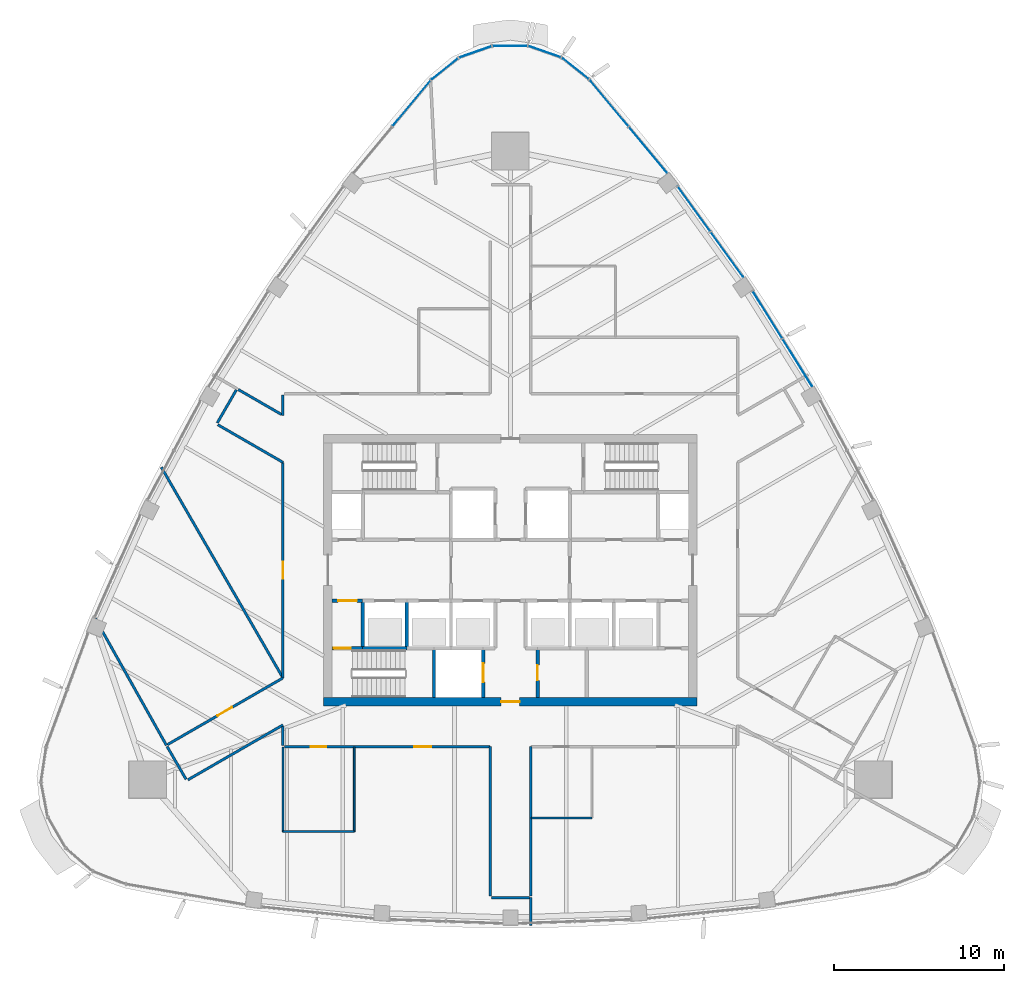
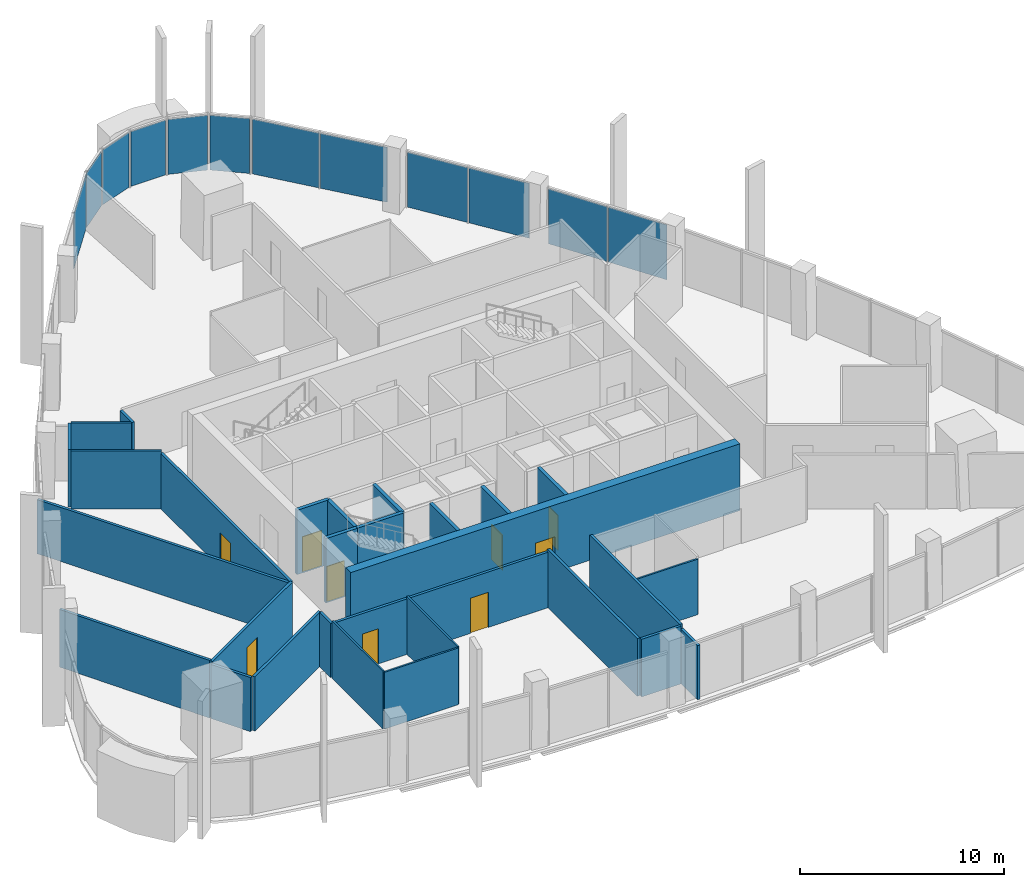
# One storey, part 8 of 18: 29 walls, 12 plates, 9 doors, 9 openings, 9 elements without a shape of their own.
"""IFC4 building model written with IfcOpenShell, lengths in metres."""

from ifc_helpers import new_model, si_unit, direction, frame, frame_2d, origin, origin_2d, place, context, subcontext, project, spatial, rectangle, extrude, material, layer, layer_set, type_object, element, fill, aggregate, save


model = new_model("IFC4")

# Units and contexts
model_context = context("Model", 3, precision=1e-05, world=origin(), true_north=direction((0.0, 1.0)))
body_context = subcontext(model_context, "Body", "Model", "MODEL_VIEW")
ifc_project = project(units=[si_unit("LENGTHUNIT", "METRE"), si_unit("AREAUNIT", "SQUARE_METRE"), si_unit("VOLUMEUNIT", "CUBIC_METRE"), si_unit("PLANEANGLEUNIT", "RADIAN"), si_unit("MASSUNIT", "GRAM", prefix="KILO")], contexts=[model_context])

# Site, building, storey
site_placement = place(None, origin())
site = spatial("IfcSite", under=ifc_project, at=site_placement, CompositionType="ELEMENT")
building_placement = place(site_placement, origin())
building = spatial("IfcBuilding", under=site, at=building_placement, Name="Sierra Prisma Convention Tower", CompositionType="ELEMENT")
storey_placement = place(building_placement, frame((0.0, 0.0, 263.0)))
storey = spatial("IfcBuildingStorey", under=building, at=storey_placement, Name="L59", CompositionType="ELEMENT", Elevation=263.0)

# Curtain wall, plates
ifc_material_1 = material(Name="Aluminium and glass curtain wall", Category="aluminium")
ifc_layer_1 = layer(ifc_material_1, 0.179931640625)
ifc_layer_set_1 = layer_set([ifc_layer_1], Name="CW-1 Plain shaft curtain wall")
curtain_wall_type = type_object("IfcCurtainWallType", Name="CW-1 Plain shaft curtain wall", PredefinedType="NOTDEFINED", material=ifc_layer_set_1)
curtain_wall_1_placement = place(storey_placement, origin())
curtain_wall_1 = element("IfcCurtainWall", 1, at=curtain_wall_1_placement, inside=storey, type_object=curtain_wall_type, Name="CW-1 NE4 L59", PredefinedType="NOTDEFINED")
ifc_material_2 = material(Name="Tinted glass bronze-grey IGU", Category="glass")
ifc_layer_2 = layer(ifc_material_2, 0.028076171875)
ifc_layer_set_2 = layer_set([ifc_layer_2], Name="CW-1 glass panel")
plate_type = type_object("IfcPlateType", Name="CW-1 glass panel", PredefinedType="CURTAIN_PANEL", material=ifc_layer_set_2)
plate_1_placement = place(storey_placement, frame((16.902587890625, 12.231201171875, 0.0), z_axis=(0.0, 0.0, 1.0), x_axis=(-0.529370388136, 0.84839082513, 0.0)))
plate_1 = element("IfcPlate", 2, at=plate_1_placement, type_object=plate_type, Name="CW-1 panel NE4.1", PredefinedType="CURTAIN_PANEL", context=body_context, shape_type="SweptSolid", body=[
    extrude(rectangle(XDim=3.244873046875, YDim=0.028076171875, at=origin_2d()), origin(), (0.0, 0.0, 1.0), 3.280029296875),
])
plate_2_placement = place(storey_placement, frame((15.14794921875, 15.04345703125, 0.0), z_axis=(0.0, 0.0, 1.0), x_axis=(-0.529370388136, 0.84839082513, 0.0)))
plate_2 = element("IfcPlate", 3, at=plate_2_placement, type_object=plate_type, Name="CW-1 panel NE4.2", PredefinedType="CURTAIN_PANEL", context=body_context, shape_type="SweptSolid", body=[
    extrude(rectangle(XDim=3.244873046875, YDim=0.028076171875, at=origin_2d()), origin(), (0.0, 0.0, 1.0), 3.280029296875),
])
aggregate(curtain_wall_1, [plate_1, plate_2])

curtain_wall_2_placement = place(storey_placement, origin())
curtain_wall_2 = element("IfcCurtainWall", 4, at=curtain_wall_2_placement, inside=storey, type_object=curtain_wall_type, Name="CW-1 NE5 L59", PredefinedType="NOTDEFINED")
plate_3_placement = place(storey_placement, frame((12.755859375, 18.600830078125, 0.0), z_axis=(0.0, 0.0, 1.0), x_axis=(-0.586213620323, 0.810156522746, 0.0)))
plate_3 = element("IfcPlate", 5, at=plate_3_placement, type_object=plate_type, Name="CW-1 panel NE5.1", PredefinedType="CURTAIN_PANEL", context=body_context, shape_type="SweptSolid", body=[
    extrude(rectangle(XDim=3.229736328125, YDim=0.028076171875, at=origin_2d()), origin(), (0.0, 0.0, 1.0), 3.280029296875),
])
plate_4_placement = place(storey_placement, frame((10.821533203125, 21.274169921875, 0.0), z_axis=(0.0, 0.0, 1.0), x_axis=(-0.586213620323, 0.810156522746, 0.0)))
plate_4 = element("IfcPlate", 6, at=plate_4_placement, type_object=plate_type, Name="CW-1 panel NE5.2", PredefinedType="CURTAIN_PANEL", context=body_context, shape_type="SweptSolid", body=[
    extrude(rectangle(XDim=3.229736328125, YDim=0.028076171875, at=origin_2d()), origin(), (0.0, 0.0, 1.0), 3.280029296875),
])
aggregate(curtain_wall_2, [plate_3, plate_4])

curtain_wall_3_placement = place(storey_placement, origin())
curtain_wall_3 = element("IfcCurtainWall", 7, at=curtain_wall_3_placement, inside=storey, type_object=curtain_wall_type, Name="CW-1 NE6 L59", PredefinedType="NOTDEFINED")
plate_5_placement = place(storey_placement, frame((8.099609375, 24.772216796875, 0.0), z_axis=(0.0, 0.0, 1.0), x_axis=(-0.640305743241, 0.76812014371, 0.0)))
plate_5 = element("IfcPlate", 8, at=plate_5_placement, type_object=plate_type, Name="CW-1 panel NE6.1", PredefinedType="CURTAIN_PANEL", context=body_context, shape_type="SweptSolid", body=[
    extrude(rectangle(XDim=3.475830078125, YDim=0.028076171875, at=origin_2d()), origin(), (0.0, 0.0, 1.0), 3.280029296875),
])
plate_6_placement = place(storey_placement, frame((5.8291015625, 27.495849609375, 0.0), z_axis=(0.0, 0.0, 1.0), x_axis=(-0.640305743241, 0.76812014371, 0.0)))
plate_6 = element("IfcPlate", 9, at=plate_6_placement, type_object=plate_type, Name="CW-1 panel NE6.2", PredefinedType="CURTAIN_PANEL", context=body_context, shape_type="SweptSolid", body=[
    extrude(rectangle(XDim=3.475830078125, YDim=0.028076171875, at=origin_2d()), origin(), (0.0, 0.0, 1.0), 3.280029296875),
])
aggregate(curtain_wall_3, [plate_5, plate_6])

# Curtain wall, plate
curtain_wall_4_placement = place(storey_placement, origin())
curtain_wall_4 = element("IfcCurtainWall", 10, at=curtain_wall_4_placement, inside=storey, type_object=curtain_wall_type, Name="CW-1 N1 L59", PredefinedType="NOTDEFINED")
plate_7_placement = place(storey_placement, frame((3.85107421875, 29.5390625, 0.0), z_axis=(0.0, 0.0, 1.0), x_axis=(-0.781760369091, 0.623578964782, 0.0)))
plate_7 = element("IfcPlate", 11, at=plate_7_placement, type_object=plate_type, Name="CW-1 panel N1.1", PredefinedType="CURTAIN_PANEL", context=body_context, shape_type="SweptSolid", body=[
    extrude(rectangle(XDim=1.958984375, YDim=0.028076171875, at=origin_2d()), origin(), (0.0, 0.0, 1.0), 3.280029296875),
])
aggregate(curtain_wall_4, [plate_7])

curtain_wall_5_placement = place(storey_placement, origin())
curtain_wall_5 = element("IfcCurtainWall", 12, at=curtain_wall_5_placement, inside=storey, type_object=curtain_wall_type, Name="CW-1 N2 L59", PredefinedType="NOTDEFINED")
plate_8_placement = place(storey_placement, frame((2.0400390625, 30.540283203125, 0.0), z_axis=(0.0, 0.0, 1.0), x_axis=(-0.943864494798, 0.330332885829, 0.0)))
plate_8 = element("IfcPlate", 13, at=plate_8_placement, type_object=plate_type, Name="CW-1 panel N2.1", PredefinedType="CURTAIN_PANEL", context=body_context, shape_type="SweptSolid", body=[
    extrude(rectangle(XDim=1.958984375, YDim=0.028076171875, at=origin_2d()), origin(), (0.0, 0.0, 1.0), 3.280029296875),
])
aggregate(curtain_wall_5, [plate_8])

curtain_wall_6_placement = place(storey_placement, origin())
curtain_wall_6 = element("IfcCurtainWall", 14, at=curtain_wall_6_placement, inside=storey, type_object=curtain_wall_type, Name="CW-1 N3 L59", PredefinedType="NOTDEFINED")
plate_9_placement = place(storey_placement, frame((0.0, 30.886962890625, 0.0), z_axis=(0.0, 0.0, 1.0), x_axis=(-1.0, 0.0, 0.0)))
plate_9 = element("IfcPlate", 15, at=plate_9_placement, type_object=plate_type, Name="CW-1 panel N3.1", PredefinedType="CURTAIN_PANEL", context=body_context, shape_type="SweptSolid", body=[
    extrude(rectangle(XDim=1.958984375, YDim=0.028076171875, at=origin_2d()), origin(), (0.0, 0.0, 1.0), 3.280029296875),
])
aggregate(curtain_wall_6, [plate_9])

curtain_wall_7_placement = place(storey_placement, origin())
curtain_wall_7 = element("IfcCurtainWall", 16, at=curtain_wall_7_placement, inside=storey, type_object=curtain_wall_type, Name="CW-1 N4 L59", PredefinedType="NOTDEFINED")
plate_10_placement = place(storey_placement, frame((-2.0400390625, 30.540283203125, 0.0), z_axis=(0.0, 0.0, 1.0), x_axis=(-0.943864494798, -0.330332885829, 0.0)))
plate_10 = element("IfcPlate", 17, at=plate_10_placement, type_object=plate_type, Name="CW-1 panel N4.1", PredefinedType="CURTAIN_PANEL", context=body_context, shape_type="SweptSolid", body=[
    extrude(rectangle(XDim=1.958984375, YDim=0.028076171875, at=origin_2d()), origin(), (0.0, 0.0, 1.0), 3.280029296875),
])
aggregate(curtain_wall_7, [plate_10])

curtain_wall_8_placement = place(storey_placement, origin())
curtain_wall_8 = element("IfcCurtainWall", 18, at=curtain_wall_8_placement, inside=storey, type_object=curtain_wall_type, Name="CW-1 N5 L59", PredefinedType="NOTDEFINED")
plate_11_placement = place(storey_placement, frame((-3.85107421875, 29.5390625, 0.0), z_axis=(0.0, 0.0, 1.0), x_axis=(-0.781760369091, -0.623578964782, 0.0)))
plate_11 = element("IfcPlate", 19, at=plate_11_placement, type_object=plate_type, Name="CW-1 panel N5.1", PredefinedType="CURTAIN_PANEL", context=body_context, shape_type="SweptSolid", body=[
    extrude(rectangle(XDim=1.958984375, YDim=0.028076171875, at=origin_2d()), origin(), (0.0, 0.0, 1.0), 3.280029296875),
])
aggregate(curtain_wall_8, [plate_11])

curtain_wall_9_placement = place(storey_placement, origin())
curtain_wall_9 = element("IfcCurtainWall", 20, at=curtain_wall_9_placement, inside=storey, type_object=curtain_wall_type, Name="CW-1 NW1 L59", PredefinedType="NOTDEFINED")
plate_12_placement = place(storey_placement, frame((-5.8291015625, 27.495849609375, 0.0), z_axis=(0.0, 0.0, 1.0), x_axis=(-0.640305743241, -0.76812014371, 0.0)))
plate_12 = element("IfcPlate", 21, at=plate_12_placement, type_object=plate_type, Name="CW-1 panel NW1.1", PredefinedType="CURTAIN_PANEL", context=body_context, shape_type="SweptSolid", body=[
    extrude(rectangle(XDim=3.475830078125, YDim=0.028076171875, at=origin_2d()), origin(), (0.0, 0.0, 1.0), 3.280029296875),
])
aggregate(curtain_wall_9, [plate_12])

# Walls
ifc_material_3 = material(Name="Gypsum board partition", Category="gypsum")
ifc_layer_3 = layer(ifc_material_3, 0.10009765625)
ifc_layer_set_3 = layer_set([ifc_layer_3], Name="Bathroom partition 100")
wall_type_1 = type_object("IfcWallType", Name="Bathroom partition 100", PredefinedType="PARTITIONING", material=ifc_layer_set_3)
wall_1_placement = place(storey_placement, frame((-9.199951171875, -10.429931640625, 0.0), z_axis=(0.0, 0.0, 1.0), x_axis=(0.0, -1.0, 0.0)))
element("IfcWall", 22, at=wall_1_placement, inside=storey, type_object=wall_type_1, Name="Partition L59 bath 1", PredefinedType="PARTITIONING", context=body_context, shape_type="SweptSolid", body=[
    extrude(rectangle(XDim=4.969970703125, YDim=0.10009765625, at=frame_2d((2.48486328125, 0.0))), origin(), (0.0, 0.0, 1.0), 3.449951171875),
])
wall_2_placement = place(storey_placement, frame((-9.199951171875, -15.39990234375, 0.0), z_axis=(0.0, 0.0, 1.0), x_axis=(-1.0, 0.0, 0.0)))
element("IfcWall", 23, at=wall_2_placement, inside=storey, type_object=wall_type_1, Name="Partition L59 bath 2", PredefinedType="PARTITIONING", context=body_context, shape_type="SweptSolid", body=[
    extrude(rectangle(XDim=4.199951171875, YDim=0.10009765625, at=frame_2d((2.10009765625, 0.0))), origin(), (0.0, 0.0, 1.0), 3.39306640625),
])
wall_3_placement = place(storey_placement, frame((-13.39990234375, -15.39990234375, 0.0), z_axis=(0.0, 0.0, 1.0), x_axis=(0.0, 1.0, 0.0)))
element("IfcWall", 24, at=wall_3_placement, inside=storey, type_object=wall_type_1, Name="Partition L59 bath 3", PredefinedType="PARTITIONING", context=body_context, shape_type="SweptSolid", body=[
    extrude(rectangle(XDim=4.969970703125, YDim=0.10009765625, at=frame_2d((2.48486328125, 0.0))), origin(), (0.0, 0.0, 1.0), 3.449951171875),
])
wall_4_placement = place(storey_placement, frame((4.800048828125, -14.60009765625, 0.0), z_axis=(0.0, 0.0, 1.0), x_axis=(-1.0, 0.0, 0.0)))
element("IfcWall", 25, at=wall_4_placement, inside=storey, type_object=wall_type_1, Name="Partition L59 bath 7", PredefinedType="PARTITIONING", context=body_context, shape_type="SweptSolid", body=[
    extrude(rectangle(XDim=3.570068359375, YDim=0.10009765625, at=frame_2d((1.78515625, 0.0))), origin(), (0.0, 0.0, 1.0), 3.31689453125),
])

# Wall, opening, door
ifc_material_4 = material(Name="Concrete C30/37", Category="concrete")
ifc_layer_4 = layer(ifc_material_4, 0.199951171875)
ifc_layer_set_4 = layer_set([ifc_layer_4], Name="Core wall RC 200 C30/37")
wall_type_2 = type_object("IfcWallType", Name="Core wall RC 200 C30/37", PredefinedType="SOLIDWALL", material=ifc_layer_set_4)
wall_5_placement = place(storey_placement, frame((-10.5, -4.60009765625, 0.0), z_axis=(0.0, 0.0, 1.0), x_axis=(1.0, 0.0, 0.0)))
wall_5 = element("IfcWall", 26, at=wall_5_placement, inside=storey, type_object=wall_type_2, Name="Core wall L59 1", PredefinedType="SOLIDWALL", context=body_context, shape_type="SweptSolid", body=[
    extrude(rectangle(XDim=1.800048828125, YDim=0.199951171875, at=frame_2d((0.89990234375, 0.0))), origin(), (0.0, 0.0, 1.0), 3.85009765625),
])
opening_1_placement = place(wall_5_placement, frame((0.10009765625, 0.0, 0.0)))
opening_1 = element("IfcOpeningElement", 27, at=opening_1_placement, cuts=wall_5, Name="Opening L59-D017", PredefinedType="OPENING", context=body_context, shape_type="SweptSolid", body=[
    extrude(rectangle(XDim=1.0, YDim=2.10009765625, at=frame_2d((0.5, 1.050048828125))), frame((0.0, 0.10009765625, 0.0), z_axis=(0.0, -1.0, 0.0), x_axis=(1.0, 0.0, 0.0)), (0.0, 0.0, 1.0), 0.199951171875),
])
ifc_material_5 = material(Name="Steel fire door leaf", Category="steel")
door_type_1 = type_object("IfcDoorType", Name="Door 1000x2100 FD90S", OperationType="SINGLE_SWING_LEFT", PredefinedType="DOOR", material=ifc_material_5)
door_1_placement = place(opening_1_placement, origin())
door_1 = element("IfcDoor", 28, at=door_1_placement, inside=storey, type_object=door_type_1, Name="Door L59 31", OperationType="SINGLE_SWING_LEFT", OverallHeight=2.10009765625, OverallWidth=1.0, PredefinedType="DOOR", context=body_context, shape_type="SweptSolid", body=[
    extrude(rectangle(XDim=1.0, YDim=2.10009765625, at=frame_2d((0.5, 1.050048828125))), frame((0.0, 0.02490234375, 0.0), z_axis=(0.0, -1.0, 0.0), x_axis=(1.0, 0.0, 0.0)), (0.0, 0.0, 1.0), 0.050048828125),
])
fill(opening_1, door_1)

wall_6_placement = place(storey_placement, frame((-10.5, -1.800048828125, 0.0), z_axis=(0.0, 0.0, 1.0), x_axis=(1.0, 0.0, 0.0)))
wall_6 = element("IfcWall", 29, at=wall_6_placement, inside=storey, type_object=wall_type_2, Name="Core wall L59 2", PredefinedType="SOLIDWALL", context=body_context, shape_type="SweptSolid", body=[
    extrude(rectangle(XDim=1.800048828125, YDim=0.199951171875, at=frame_2d((0.89990234375, 0.0))), origin(), (0.0, 0.0, 1.0), 3.85009765625),
])
opening_2_placement = place(wall_6_placement, frame((0.35009765625, 0.0, 0.0)))
opening_2 = element("IfcOpeningElement", 30, at=opening_2_placement, cuts=wall_6, Name="Opening L59-D012", PredefinedType="OPENING", context=body_context, shape_type="SweptSolid", body=[
    extrude(rectangle(XDim=1.10009765625, YDim=2.10009765625, at=frame_2d((0.550048828125, 1.050048828125))), frame((0.0, 0.10009765625, 0.0), z_axis=(0.0, -1.0, 0.0), x_axis=(1.0, 0.0, 0.0)), (0.0, 0.0, 1.0), 0.199951171875),
])
ifc_material_6 = material(Name="Steel fire door leaf", Category="steel")
door_type_2 = type_object("IfcDoorType", Name="Door 1100x2100 FD90S", OperationType="SINGLE_SWING_LEFT", PredefinedType="DOOR", material=ifc_material_6)
door_2_placement = place(opening_2_placement, origin())
door_2 = element("IfcDoor", 31, at=door_2_placement, inside=storey, type_object=door_type_2, Name="Door L59 26", OperationType="SINGLE_SWING_LEFT", OverallHeight=2.10009765625, OverallWidth=1.10009765625, PredefinedType="DOOR", context=body_context, shape_type="SweptSolid", body=[
    extrude(rectangle(XDim=1.10009765625, YDim=2.10009765625, at=frame_2d((0.550048828125, 1.050048828125))), frame((0.0, 0.02490234375, 0.0), z_axis=(0.0, -1.0, 0.0), x_axis=(1.0, 0.0, 0.0)), (0.0, 0.0, 1.0), 0.050048828125),
])
fill(opening_2, door_2)

# Walls
wall_7_placement = place(storey_placement, frame((-8.699951171875, -4.60009765625, 0.0), z_axis=(0.0, 0.0, 1.0), x_axis=(1.0, 0.0, 0.0)))
element("IfcWall", 32, at=wall_7_placement, inside=storey, type_object=wall_type_2, Name="Core wall L59 5", PredefinedType="SOLIDWALL", context=body_context, shape_type="SweptSolid", body=[
    extrude(rectangle(XDim=2.599853515625, YDim=0.199951171875, at=frame_2d((1.2998046875, 0.0))), origin(), (0.0, 0.0, 1.0), 3.85009765625),
])
for number, where, z_axis, x_axis, name in (
    (33, (-8.699951171875, -4.60009765625, 0.0), (0.0, 0.0, 1.0), (0.0, 1.0, 0.0), "Core wall L59 6"),
    (34, (-6.10009765625, -4.60009765625, 0.0), (0.0, 0.0, 1.0), (0.0, 1.0, 0.0), "Core wall L59 12"),
):
    element("IfcWall", number, at=place(storey_placement, frame(where, z_axis=z_axis, x_axis=x_axis)), inside=storey, type_object=wall_type_2, Name=name, PredefinedType="SOLIDWALL", context=body_context, shape_type="SweptSolid", body=[
        extrude(rectangle(XDim=2.800048828125, YDim=0.199951171875, at=frame_2d((1.39990234375, 0.0))), origin(), (0.0, 0.0, 1.0), 3.85009765625),
    ])
wall_8_placement = place(storey_placement, frame((-4.5, -4.60009765625, 0.0), z_axis=(0.0, 0.0, 1.0), x_axis=(0.0, -1.0, 0.0)))
element("IfcWall", 35, at=wall_8_placement, inside=storey, type_object=wall_type_2, Name="Core wall L59 14", PredefinedType="SOLIDWALL", context=body_context, shape_type="SweptSolid", body=[
    extrude(rectangle(XDim=2.89990234375, YDim=0.199951171875, at=frame_2d((1.449951171875, 0.0))), origin(), (0.0, 0.0, 1.0), 3.85009765625),
])

# Wall, opening, door
wall_9_placement = place(storey_placement, frame((-1.60009765625, -7.5, 0.0), z_axis=(0.0, 0.0, 1.0), x_axis=(0.0, 1.0, 0.0)))
wall_9 = element("IfcWall", 36, at=wall_9_placement, inside=storey, type_object=wall_type_2, Name="Core wall L59 27", PredefinedType="SOLIDWALL", context=body_context, shape_type="SweptSolid", body=[
    extrude(rectangle(XDim=2.89990234375, YDim=0.199951171875, at=frame_2d((1.449951171875, 0.0))), origin(), (0.0, 0.0, 1.0), 3.85009765625),
])
opening_3_placement = place(wall_9_placement, frame((0.89990234375, 0.0, 0.0)))
opening_3 = element("IfcOpeningElement", 37, at=opening_3_placement, cuts=wall_9, Name="Opening L59-D009", PredefinedType="OPENING", context=body_context, shape_type="SweptSolid", body=[
    extrude(rectangle(XDim=1.10009765625, YDim=2.10009765625, at=frame_2d((0.550048828125, 1.050048828125))), frame((0.0, 0.10009765625, 0.0), z_axis=(0.0, -1.0, 0.0), x_axis=(1.0, 0.0, 0.0)), (0.0, 0.0, 1.0), 0.199951171875),
])
ifc_material_7 = material(Name="Steel fire door leaf", Category="steel")
door_type_3 = type_object("IfcDoorType", Name="Door 1100x2100 EI 90 sliding lift landing", OperationType="SLIDING_TO_LEFT", PredefinedType="DOOR", material=ifc_material_7)
door_3_placement = place(opening_3_placement, origin())
door_3 = element("IfcDoor", 38, at=door_3_placement, inside=storey, type_object=door_type_3, Name="Door L59 23", OperationType="SLIDING_TO_RIGHT", OverallHeight=2.10009765625, OverallWidth=1.10009765625, PredefinedType="DOOR", context=body_context, shape_type="SweptSolid", body=[
    extrude(rectangle(XDim=1.10009765625, YDim=2.10009765625, at=frame_2d((0.550048828125, 1.050048828125))), frame((0.0, 0.02490234375, 0.0), z_axis=(0.0, -1.0, 0.0), x_axis=(1.0, 0.0, 0.0)), (0.0, 0.0, 1.0), 0.050048828125),
])
fill(opening_3, door_3)

wall_10_placement = place(storey_placement, frame((1.60009765625, -4.60009765625, 0.0), z_axis=(0.0, 0.0, 1.0), x_axis=(0.0, -1.0, 0.0)))
wall_10 = element("IfcWall", 39, at=wall_10_placement, inside=storey, type_object=wall_type_2, Name="Core wall L59 39", PredefinedType="SOLIDWALL", context=body_context, shape_type="SweptSolid", body=[
    extrude(rectangle(XDim=2.89990234375, YDim=0.199951171875, at=frame_2d((1.449951171875, 0.0))), origin(), (0.0, 0.0, 1.0), 3.85009765625),
])
opening_4_placement = place(wall_10_placement, frame((1.0, 0.0, 0.0)))
opening_4 = element("IfcOpeningElement", 40, at=opening_4_placement, cuts=wall_10, Name="Opening L59-D024", PredefinedType="OPENING", context=body_context, shape_type="SweptSolid", body=[
    extrude(rectangle(XDim=0.89990234375, YDim=2.10009765625, at=frame_2d((0.449951171875, 1.050048828125))), frame((0.0, 0.10009765625, 0.0), z_axis=(0.0, -1.0, 0.0), x_axis=(1.0, 0.0, 0.0)), (0.0, 0.0, 1.0), 0.199951171875),
])
ifc_material_8 = material(Name="Steel fire door leaf", Category="steel")
door_type_4 = type_object("IfcDoorType", Name="Door 900x2100 FD30S", OperationType="SINGLE_SWING_LEFT", PredefinedType="DOOR", material=ifc_material_8)
door_4_placement = place(opening_4_placement, origin())
door_4 = element("IfcDoor", 41, at=door_4_placement, inside=storey, type_object=door_type_4, Name="Door L59 38", OperationType="SINGLE_SWING_RIGHT", OverallHeight=2.10009765625, OverallWidth=0.89990234375, PredefinedType="DOOR", context=body_context, shape_type="SweptSolid", body=[
    extrude(rectangle(XDim=0.89990234375, YDim=2.10009765625, at=frame_2d((0.449951171875, 1.050048828125))), frame((0.0, 0.02490234375, 0.0), z_axis=(0.0, -1.0, 0.0), x_axis=(1.0, 0.0, 0.0)), (0.0, 0.0, 1.0), 0.050048828125),
])
fill(opening_4, door_4)

ifc_material_9 = material(Name="Concrete C50/60", Category="concrete")
ifc_layer_5 = layer(ifc_material_9, 0.5)
ifc_layer_set_5 = layer_set([ifc_layer_5], Name="Core wall RC 500 C50/60")
wall_type_3 = type_object("IfcWallType", Name="Core wall RC 500 C50/60", PredefinedType="SHEAR", material=ifc_layer_set_5)
wall_11_placement = place(storey_placement, frame((-11.0, -7.75, 0.0), z_axis=(0.0, 0.0, 1.0), x_axis=(1.0, 0.0, 0.0)))
wall_11 = element("IfcWall", 42, at=wall_11_placement, inside=storey, type_object=wall_type_3, Name="Core wall S L59", PredefinedType="SHEAR", context=body_context, shape_type="SweptSolid", body=[
    extrude(rectangle(XDim=22.0, YDim=0.5, at=frame_2d((11.0, 0.0))), origin(), (0.0, 0.0, 1.0), 4.0),
])
opening_5_placement = place(wall_11_placement, frame((10.449951171875, 0.0, 0.0)))
opening_5 = element("IfcOpeningElement", 43, at=opening_5_placement, cuts=wall_11, Name="Opening L59-D041", PredefinedType="OPENING", context=body_context, shape_type="SweptSolid", body=[
    extrude(rectangle(XDim=1.10009765625, YDim=2.10009765625, at=frame_2d((0.550048828125, 1.050048828125))), frame((0.0, 0.25, 0.0), z_axis=(0.0, -1.0, 0.0), x_axis=(1.0, 0.0, 0.0)), (0.0, 0.0, 1.0), 0.5),
])
ifc_material_10 = material(Name="Steel fire door leaf", Category="steel")
door_type_5 = type_object("IfcDoorType", Name="Door 1100x2100 FD30S", OperationType="SINGLE_SWING_LEFT", PredefinedType="DOOR", material=ifc_material_10)
door_5_placement = place(opening_5_placement, origin())
door_5 = element("IfcDoor", 44, at=door_5_placement, inside=storey, type_object=door_type_5, Name="Door L59 42", OperationType="SINGLE_SWING_RIGHT", OverallHeight=2.10009765625, OverallWidth=1.10009765625, PredefinedType="DOOR", context=body_context, shape_type="SweptSolid", body=[
    extrude(rectangle(XDim=1.10009765625, YDim=2.10009765625, at=frame_2d((0.550048828125, 1.050048828125))), frame((0.0, 0.02490234375, 0.0), z_axis=(0.0, -1.0, 0.0), x_axis=(1.0, 0.0, 0.0)), (0.0, 0.0, 1.0), 0.050048828125),
])
fill(opening_5, door_5)

# Wall
ifc_material_11 = material(Name="Gypsum board partition", Category="gypsum")
ifc_layer_6 = layer(ifc_material_11, 0.14990234375)
ifc_layer_set_6 = layer_set([ifc_layer_6], Name="Corridor wall 150 gypsum EI 60")
wall_type_4 = type_object("IfcWallType", Name="Corridor wall 150 gypsum EI 60", PredefinedType="PARTITIONING", material=ifc_layer_set_6)
wall_12_placement = place(storey_placement, frame((-20.228515625, -10.385498046875, 0.0), z_axis=(0.0, 0.0, 1.0), x_axis=(0.500030632641, -0.866007717299, 0.0)))
element("IfcWall", 45, at=wall_12_placement, inside=storey, type_object=wall_type_4, Name="Partition L59 corr 1", PredefinedType="PARTITIONING", context=body_context, shape_type="SweptSolid", body=[
    extrude(rectangle(XDim=2.239990234375, YDim=0.14990234375, at=frame_2d((1.1201171875, 0.0))), origin(), (0.0, 0.0, 1.0), 3.23291015625),
])

# Wall, opening, door
wall_13_placement = place(storey_placement, frame((-13.39990234375, -6.350830078125, 0.0), z_axis=(0.0, 0.0, 1.0), x_axis=(-0.866028164062, -0.499995219029, 0.0)))
wall_13 = element("IfcWall", 46, at=wall_13_placement, inside=storey, type_object=wall_type_4, Name="Partition L59 corr 2", PredefinedType="PARTITIONING", context=body_context, shape_type="SweptSolid", body=[
    extrude(rectangle(XDim=7.85107421875, YDim=0.14990234375, at=frame_2d((3.925537109375, 0.0))), origin(), (0.0, 0.0, 1.0), 3.31689453125),
])
opening_6_placement = place(wall_13_placement, frame((3.465576171875, 0.0, 0.0)))
opening_6 = element("IfcOpeningElement", 47, at=opening_6_placement, cuts=wall_13, Name="Opening L59-D032", PredefinedType="OPENING", context=body_context, shape_type="SweptSolid", body=[
    extrude(rectangle(XDim=1.0, YDim=2.10009765625, at=frame_2d((0.5, 1.050048828125))), frame((0.0, 0.074951171875, 0.0), z_axis=(0.0, -1.0, 0.0), x_axis=(1.0, 0.0, 0.0)), (0.0, 0.0, 1.0), 0.14990234375),
])
ifc_material_12 = material(Name="Steel fire door leaf", Category="steel")
door_type_6 = type_object("IfcDoorType", Name="Door 1000x2100 FD30S", OperationType="SINGLE_SWING_LEFT", PredefinedType="DOOR", material=ifc_material_12)
door_6_placement = place(opening_6_placement, origin())
door_6 = element("IfcDoor", 48, at=door_6_placement, inside=storey, type_object=door_type_6, Name="Door L59 8", OperationType="SINGLE_SWING_RIGHT", OverallHeight=2.10009765625, OverallWidth=1.0, PredefinedType="DOOR", context=body_context, shape_type="SweptSolid", body=[
    extrude(rectangle(XDim=1.0, YDim=2.10009765625, at=frame_2d((0.5, 1.050048828125))), frame((0.0, 0.02490234375, 0.0), z_axis=(0.0, -1.0, 0.0), x_axis=(1.0, 0.0, 0.0)), (0.0, 0.0, 1.0), 0.050048828125),
])
fill(opening_6, door_6)

# Walls
wall_14_placement = place(storey_placement, frame((-18.9990234375, -12.354736328125, 0.0), z_axis=(0.0, 0.0, 1.0), x_axis=(0.866024603775, 0.500001385654, 0.0)))
element("IfcWall", 49, at=wall_14_placement, inside=storey, type_object=wall_type_4, Name="Partition L59 corr 3", PredefinedType="PARTITIONING", context=body_context, shape_type="SweptSolid", body=[
    extrude(rectangle(XDim=6.46533203125, YDim=0.14990234375, at=frame_2d((3.232666015625, 0.0))), origin(), (0.0, 0.0, 1.0), 3.23291015625),
])
wall_15_placement = place(storey_placement, frame((-13.39990234375, -9.213623046875, 0.0), z_axis=(0.0, 0.0, 1.0), x_axis=(0.0, -1.0, 0.0)))
element("IfcWall", 50, at=wall_15_placement, inside=storey, type_object=wall_type_4, Name="Partition L59 corr 4", PredefinedType="PARTITIONING", context=body_context, shape_type="SweptSolid", body=[
    extrude(rectangle(XDim=1.1064453125, YDim=0.14990234375, at=frame_2d((0.55322265625, 0.0))), origin(), (0.0, 0.0, 1.0), 3.23291015625),
])
wall_16_placement = place(storey_placement, frame((-16.14794921875, 10.6162109375, 0.0), z_axis=(0.0, 0.0, 1.0), x_axis=(-0.500077830873, -0.865980463445, 0.0)))
element("IfcWall", 51, at=wall_16_placement, inside=storey, type_object=wall_type_4, Name="Partition L59 corr 5", PredefinedType="PARTITIONING", context=body_context, shape_type="SweptSolid", body=[
    extrude(rectangle(XDim=2.239990234375, YDim=0.14990234375, at=frame_2d((1.1201171875, 0.0))), origin(), (0.0, 0.0, 1.0), 3.449951171875),
])
wall_17_placement = place(storey_placement, frame((-17.23876953125, 8.567138671875, 0.0), z_axis=(0.0, 0.0, 1.0), x_axis=(0.866031500321, -0.49998944034, 0.0)))
element("IfcWall", 52, at=wall_17_placement, inside=storey, type_object=wall_type_4, Name="Partition L59 corr 6", PredefinedType="PARTITIONING", context=body_context, shape_type="SweptSolid", body=[
    extrude(rectangle(XDim=4.4326171875, YDim=0.14990234375, at=frame_2d((2.21630859375, 0.0))), origin(), (0.0, 0.0, 1.0), 3.449951171875),
])

# Wall, opening, door
wall_18_placement = place(storey_placement, frame((-13.39990234375, 6.350830078125, 0.0), z_axis=(0.0, 0.0, 1.0), x_axis=(0.0, -1.0, 0.0)))
wall_18 = element("IfcWall", 53, at=wall_18_placement, inside=storey, type_object=wall_type_4, Name="Partition L59 corr 7", PredefinedType="PARTITIONING", context=body_context, shape_type="SweptSolid", body=[
    extrude(rectangle(XDim=12.70166015625, YDim=0.14990234375, at=frame_2d((6.350830078125, 0.0))), origin(), (0.0, 0.0, 1.0), 3.31689453125),
])
opening_7_placement = place(wall_18_placement, frame((5.850830078125, 0.0, 0.0)))
opening_7 = element("IfcOpeningElement", 54, at=opening_7_placement, cuts=wall_18, Name="Opening L59-D031", PredefinedType="OPENING", context=body_context, shape_type="SweptSolid", body=[
    extrude(rectangle(XDim=1.0, YDim=2.10009765625, at=frame_2d((0.5, 1.050048828125))), frame((0.0, 0.074951171875, 0.0), z_axis=(0.0, -1.0, 0.0), x_axis=(1.0, 0.0, 0.0)), (0.0, 0.0, 1.0), 0.14990234375),
])
door_7_placement = place(opening_7_placement, origin())
door_7 = element("IfcDoor", 55, at=door_7_placement, inside=storey, type_object=door_type_6, Name="Door L59 7", OperationType="SINGLE_SWING_LEFT", OverallHeight=2.10009765625, OverallWidth=1.0, PredefinedType="DOOR", context=body_context, shape_type="SweptSolid", body=[
    extrude(rectangle(XDim=1.0, YDim=2.10009765625, at=frame_2d((0.5, 1.050048828125))), frame((0.0, 0.02490234375, 0.0), z_axis=(0.0, -1.0, 0.0), x_axis=(1.0, 0.0, 0.0)), (0.0, 0.0, 1.0), 0.050048828125),
])
fill(opening_7, door_7)

# Walls
wall_19_placement = place(storey_placement, frame((-13.39990234375, 10.320068359375, 0.0), z_axis=(0.0, 0.0, 1.0), x_axis=(0.0, -1.0, 0.0)))
element("IfcWall", 56, at=wall_19_placement, inside=storey, type_object=wall_type_4, Name="Partition L59 corr 8", PredefinedType="PARTITIONING", context=body_context, shape_type="SweptSolid", body=[
    extrude(rectangle(XDim=1.197998046875, YDim=0.14990234375, at=frame_2d((0.59912109375, 0.0))), origin(), (0.0, 0.0, 1.0), 3.449951171875),
])
wall_20_placement = place(storey_placement, frame((-13.479248046875, 9.16796875, 0.0), z_axis=(0.0, 0.0, 1.0), x_axis=(-0.866059033742, 0.499941746681, 0.0)))
element("IfcWall", 57, at=wall_20_placement, inside=storey, type_object=wall_type_4, Name="Partition L59 corr 9", PredefinedType="PARTITIONING", context=body_context, shape_type="SweptSolid", body=[
    extrude(rectangle(XDim=2.955322265625, YDim=0.14990234375, at=frame_2d((1.4775390625, 0.0))), origin(), (0.0, 0.0, 1.0), 3.449951171875),
])

# Wall, openings, doors
wall_21_placement = place(storey_placement, frame((-13.320068359375, -10.39990234375, 0.0), z_axis=(0.0, 0.0, 1.0), x_axis=(1.0, 0.0, 0.0)))
wall_21 = element("IfcWall", 58, at=wall_21_placement, inside=storey, type_object=wall_type_4, Name="Partition L59 corr 10", PredefinedType="PARTITIONING", context=body_context, shape_type="SweptSolid", body=[
    extrude(rectangle(XDim=12.1201171875, YDim=0.14990234375, at=frame_2d((6.06005859375, 0.0))), origin(), (0.0, 0.0, 1.0), 3.31689453125),
])
opening_8_placement = place(wall_21_placement, frame((1.570068359375, 0.0, 0.0)))
opening_8 = element("IfcOpeningElement", 59, at=opening_8_placement, cuts=wall_21, Name="Opening L59-D033", PredefinedType="OPENING", context=body_context, shape_type="SweptSolid", body=[
    extrude(rectangle(XDim=0.89990234375, YDim=2.10009765625, at=frame_2d((0.449951171875, 1.050048828125))), frame((0.0, 0.074951171875, 0.0), z_axis=(0.0, -1.0, 0.0), x_axis=(1.0, 0.0, 0.0)), (0.0, 0.0, 1.0), 0.14990234375),
])
opening_9_placement = place(wall_21_placement, frame((7.669921875, 0.0, 0.0)))
opening_9 = element("IfcOpeningElement", 60, at=opening_9_placement, cuts=wall_21, Name="Opening L59-D034", PredefinedType="OPENING", context=body_context, shape_type="SweptSolid", body=[
    extrude(rectangle(XDim=1.0, YDim=2.10009765625, at=frame_2d((0.5, 1.050048828125))), frame((0.0, 0.074951171875, 0.0), z_axis=(0.0, -1.0, 0.0), x_axis=(1.0, 0.0, 0.0)), (0.0, 0.0, 1.0), 0.14990234375),
])
door_8_placement = place(opening_9_placement, origin())
door_8 = element("IfcDoor", 61, at=door_8_placement, inside=storey, type_object=door_type_6, Name="Door L59 10", OperationType="SINGLE_SWING_RIGHT", OverallHeight=2.10009765625, OverallWidth=1.0, PredefinedType="DOOR", context=body_context, shape_type="SweptSolid", body=[
    extrude(rectangle(XDim=1.0, YDim=2.10009765625, at=frame_2d((0.5, 1.050048828125))), frame((0.0, 0.02490234375, 0.0), z_axis=(0.0, -1.0, 0.0), x_axis=(1.0, 0.0, 0.0)), (0.0, 0.0, 1.0), 0.050048828125),
])
fill(opening_9, door_8)
door_9_placement = place(opening_8_placement, origin())
door_9 = element("IfcDoor", 62, at=door_9_placement, inside=storey, type_object=door_type_4, Name="Door L59 9", OperationType="SINGLE_SWING_LEFT", OverallHeight=2.10009765625, OverallWidth=0.89990234375, PredefinedType="DOOR", context=body_context, shape_type="SweptSolid", body=[
    extrude(rectangle(XDim=0.89990234375, YDim=2.10009765625, at=frame_2d((0.449951171875, 1.050048828125))), frame((0.0, 0.02490234375, 0.0), z_axis=(0.0, -1.0, 0.0), x_axis=(1.0, 0.0, 0.0)), (0.0, 0.0, 1.0), 0.050048828125),
])
fill(opening_8, door_9)

# Walls
wall_22_placement = place(storey_placement, frame((-1.199951171875, -10.39990234375, 0.0), z_axis=(0.0, 0.0, 1.0), x_axis=(0.0, -1.0, 0.0)))
element("IfcWall", 63, at=wall_22_placement, inside=storey, type_object=wall_type_4, Name="Partition L59 corr 11", PredefinedType="PARTITIONING", context=body_context, shape_type="SweptSolid", body=[
    extrude(rectangle(XDim=8.812744140625, YDim=0.14990234375, at=frame_2d((4.40625, 0.0))), origin(), (0.0, 0.0, 1.0), 3.449951171875),
])
wall_23_placement = place(storey_placement, frame((-1.1201171875, -19.292724609375, 0.0), z_axis=(0.0, 0.0, 1.0), x_axis=(1.0, 0.0, 0.0)))
element("IfcWall", 64, at=wall_23_placement, inside=storey, type_object=wall_type_4, Name="Partition L59 corr 15", PredefinedType="PARTITIONING", context=body_context, shape_type="SweptSolid", body=[
    extrude(rectangle(XDim=2.240234375, YDim=0.14990234375, at=frame_2d((1.1201171875, 0.0))), origin(), (0.0, 0.0, 1.0), 3.449951171875),
])
wall_24_placement = place(storey_placement, frame((1.199951171875, -19.212646484375, 0.0), z_axis=(0.0, 0.0, 1.0), x_axis=(0.0, 1.0, 0.0)))
element("IfcWall", 65, at=wall_24_placement, inside=storey, type_object=wall_type_4, Name="Partition L59 corr 17", PredefinedType="PARTITIONING", context=body_context, shape_type="SweptSolid", body=[
    extrude(rectangle(XDim=8.812744140625, YDim=0.14990234375, at=frame_2d((4.40625, 0.0))), origin(), (0.0, 0.0, 1.0), 3.449951171875),
])
ifc_material_13 = material(Name="Gypsum board partition", Category="gypsum")
ifc_layer_7 = layer(ifc_material_13, 0.14990234375)
ifc_layer_set_7 = layer_set([ifc_layer_7], Name="Party wall 150 gypsum")
wall_type_5 = type_object("IfcWallType", Name="Party wall 150 gypsum", PredefinedType="PARTITIONING", material=ifc_layer_set_7)
wall_25_placement = place(storey_placement, frame((-20.268310546875, -10.31640625, 0.0), z_axis=(0.0, 0.0, 1.0), x_axis=(-0.489669112998, 0.871908343678, 0.0)))
element("IfcWall", 66, at=wall_25_placement, inside=storey, type_object=wall_type_5, Name="Partition L59 party 1", PredefinedType="PARTITIONING", context=body_context, shape_type="SweptSolid", body=[
    extrude(rectangle(XDim=8.55615234375, YDim=0.14990234375, at=frame_2d((4.278076171875, 0.0))), origin(), (0.0, 0.0, 1.0), 3.443115234375),
])
wall_26_placement = place(storey_placement, frame((-13.39990234375, -6.350830078125, 0.0), z_axis=(0.0, 0.0, 1.0), x_axis=(-0.500007991186, 0.866020790022, 0.0)))
element("IfcWall", 67, at=wall_26_placement, inside=storey, type_object=wall_type_5, Name="Partition L59 party 2", PredefinedType="PARTITIONING", context=body_context, shape_type="SweptSolid", body=[
    extrude(rectangle(XDim=14.333740234375, YDim=0.14990234375, at=frame_2d((7.1669921875, 0.0))), origin(), (0.0, 0.0, 1.0), 3.23388671875),
])
wall_27_placement = place(storey_placement, frame((1.199951171875, -19.292724609375, 0.0), z_axis=(0.0, 0.0, 1.0), x_axis=(0.0, -1.0, 0.0)))
element("IfcWall", 68, at=wall_27_placement, inside=storey, type_object=wall_type_5, Name="Partition L59 party 5", PredefinedType="PARTITIONING", context=body_context, shape_type="SweptSolid", body=[
    extrude(rectangle(XDim=1.65625, YDim=0.14990234375, at=frame_2d((0.828125, 0.0))), origin(), (0.0, 0.0, 1.0), 3.23388671875),
])

save(model, "model.ifc")
